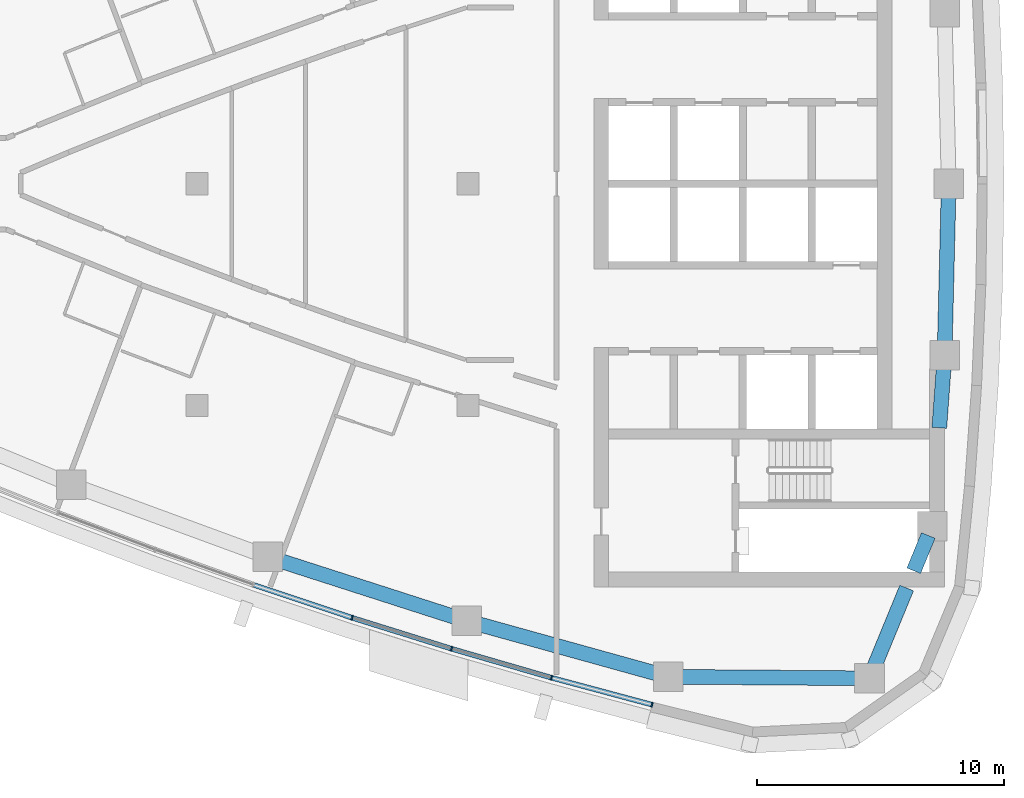
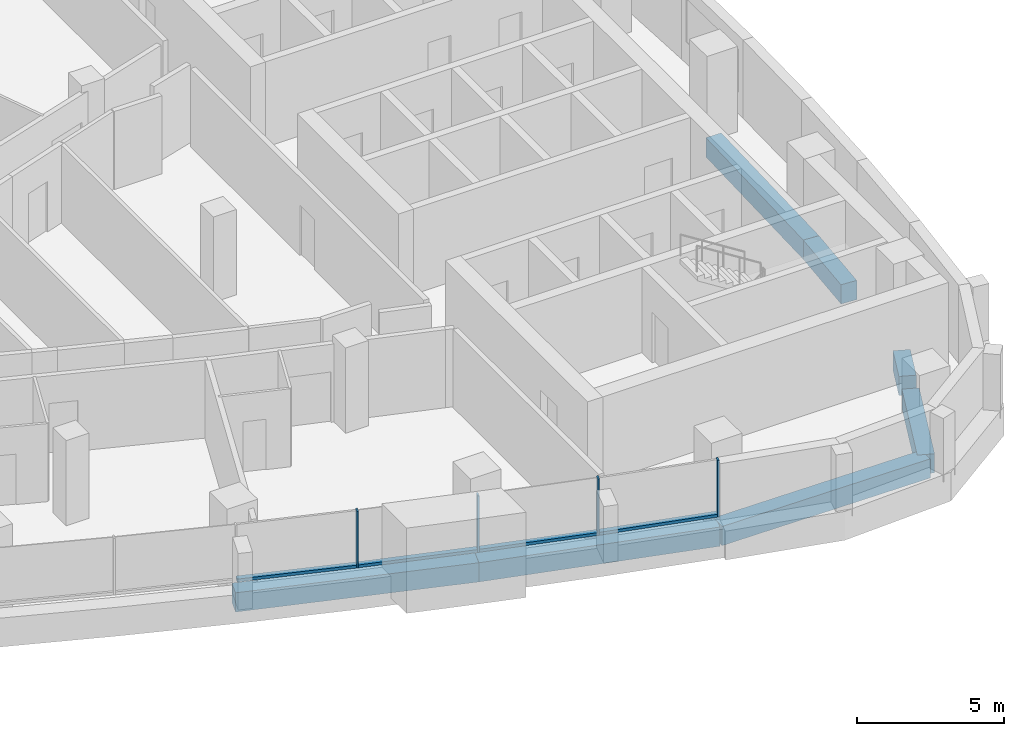
# One storey, part 4 of 15: 8 members, 7 beams, 2 elements without a shape of their own.
"""IFC4 building model written with IfcOpenShell, lengths in metres."""

from ifc_helpers import new_model, si_unit, direction, frame, origin, origin_2d, place, context, subcontext, project, spatial, rectangle, extrude, material, layer, layer_set, material_profile, profile_set, type_object, element, aggregate, save


model = new_model("IFC4")

# Units and contexts
model_context = context("Model", 3, precision=1e-05, world=origin(), true_north=direction((0.0, 1.0)))
body_context = subcontext(model_context, "Body", "Model", "MODEL_VIEW")
ifc_project = project(units=[si_unit("LENGTHUNIT", "METRE"), si_unit("AREAUNIT", "SQUARE_METRE"), si_unit("VOLUMEUNIT", "CUBIC_METRE"), si_unit("PLANEANGLEUNIT", "RADIAN"), si_unit("MASSUNIT", "GRAM", prefix="KILO")], contexts=[model_context])

# Site, building, storey
site_placement = place(None, origin())
site = spatial("IfcSite", under=ifc_project, at=site_placement, CompositionType="ELEMENT")
building_placement = place(site_placement, origin())
building = spatial("IfcBuilding", under=site, at=building_placement, Name="Ostrand Prow Hotel Tower", CompositionType="ELEMENT")
storey_placement = place(building_placement, frame((0.0, 0.0, 242.10009765625)))
storey = spatial("IfcBuildingStorey", under=building, at=storey_placement, Name="L61", CompositionType="ELEMENT", Elevation=242.10009765625)

# Beams
ifc_material_1 = material(Name="Concrete C50/60", Category="concrete")
ifc_material_profile_1 = material_profile(ifc_material_1, rectangle(XDim=0.60009765625, YDim=0.800048828125, at=origin_2d()), Name="RC 600x800")
ifc_profile_set_1 = profile_set([ifc_material_profile_1], Name="Concrete C50/60")
beam_type = type_object("IfcBeamType", Name="Edge beam 600x800 C50/60", PredefinedType="SPANDREL", material=ifc_profile_set_1)
for number, where, z_axis, x_axis, name in (
    (1, (36.8671875, -15.131591796875, -0.7001953125), (0.95193933362, -0.306286638798, 0.0), (0.306286638798, 0.95193933362, 0.0), "Edge beam S4-S5"),
    (2, (44.94677734375, -17.731201171875, -0.7001953125), (0.963625802813, -0.267255144297, 0.0), (0.267255144297, 0.963625802813, 0.0), "Edge beam S5-S6"),
):
    element("IfcBeam", number, at=place(storey_placement, frame(where, z_axis=z_axis, x_axis=x_axis)), inside=storey, type_object=beam_type, Name=name, PredefinedType="SPANDREL", context=body_context, shape_type="SweptSolid", body=[
        extrude(rectangle(XDim=0.60009765625, YDim=0.800048828125, at=origin_2d()), origin(), (0.0, 0.0, 1.0), 8.487548828125),
    ])
beam_1_placement = place(storey_placement, frame((53.12548828125, -19.99951171875, -0.7001953125), z_axis=(0.999970657582, -0.007660546678, 0.0), x_axis=(0.007660546678, 0.999970657582, 0.0)))
element("IfcBeam", 3, at=beam_1_placement, inside=storey, type_object=beam_type, Name="Edge beam S6-SE", PredefinedType="SPANDREL", context=body_context, shape_type="SweptSolid", body=[
    extrude(rectangle(XDim=0.60009765625, YDim=0.800048828125, at=origin_2d()), origin(), (0.0, 0.0, 1.0), 8.15869140625),
])
beam_2_placement = place(storey_placement, frame((61.283935546875, -20.06201171875, -0.7001953125), z_axis=(0.380777709221, 0.924666608114, 0.0), x_axis=(-0.924666608114, 0.380777709221, 0.0)))
element("IfcBeam", 4, at=beam_2_placement, inside=storey, type_object=beam_type, Name="Edge beam SE-B1", PredefinedType="SPANDREL", context=body_context, shape_type="SweptSolid", body=[
    extrude(rectangle(XDim=0.60009765625, YDim=0.800048828125, at=origin_2d()), origin(), (0.0, 0.0, 1.0), 3.96044921875),
])
beam_3_placement = place(storey_placement, frame((63.080078125, -15.699951171875, -0.7001953125), z_axis=(0.380773585759, 0.924668306145, 0.0), x_axis=(-0.924668306145, 0.380773585759, 0.0)))
element("IfcBeam", 5, at=beam_3_placement, inside=storey, type_object=beam_type, Name="Edge beam SE-B1", PredefinedType="SPANDREL", context=body_context, shape_type="SweptSolid", body=[
    extrude(rectangle(XDim=0.60009765625, YDim=0.800048828125, at=origin_2d()), origin(), (0.0, 0.0, 1.0), 1.549072265625),
])
beam_4_placement = place(storey_placement, frame((64.11669921875, -9.89990234375, -0.7001953125), z_axis=(0.072691068771, 0.997354504938, 0.0), x_axis=(-0.997354504938, 0.072691068771, 0.0)))
element("IfcBeam", 6, at=beam_4_placement, inside=storey, type_object=beam_type, Name="Edge beam B1-B2", PredefinedType="SPANDREL", context=body_context, shape_type="SweptSolid", body=[
    extrude(rectangle(XDim=0.60009765625, YDim=0.800048828125, at=origin_2d()), origin(), (0.0, 0.0, 1.0), 2.95556640625),
])
beam_5_placement = place(storey_placement, frame((64.33154296875, -6.9521484375, -0.7001953125), z_axis=(0.024223820991, 0.999706560195, 0.0), x_axis=(-0.999706560195, 0.024223820991, 0.0)))
element("IfcBeam", 7, at=beam_5_placement, inside=storey, type_object=beam_type, Name="Edge beam B2-B3", PredefinedType="SPANDREL", context=body_context, shape_type="SweptSolid", body=[
    extrude(rectangle(XDim=0.60009765625, YDim=0.800048828125, at=origin_2d()), origin(), (0.0, 0.0, 1.0), 6.9541015625),
])

# Curtain wall, members
ifc_material_2 = material(Name="Insulated glass in bronze anodised frame", Category="glass")
ifc_layer = layer(ifc_material_2, 0.199951171875)
ifc_layer_set = layer_set([ifc_layer], Name="Insulated glass in bronze anodised frame")
curtain_wall_type = type_object("IfcCurtainWallType", Name="Strip curtain wall, fritted glass over bronze spandrel", PredefinedType="NOTDEFINED", material=ifc_layer_set)
curtain_wall_1_placement = place(storey_placement, origin())
curtain_wall_1 = element("IfcCurtainWall", 8, at=curtain_wall_1_placement, inside=storey, type_object=curtain_wall_type, Name="CW1 run CWS4", PredefinedType="NOTDEFINED")
ifc_material_3 = material(Name="Bronze anodised aluminium", Category="aluminium")
ifc_material_profile_2 = material_profile(ifc_material_3, rectangle(XDim=0.199951171875, YDim=0.06005859375, at=origin_2d()), Name="Mullion 60x200 bronze anodised aluminium")
ifc_profile_set_2 = profile_set([ifc_material_profile_2], Name="Bronze anodised aluminium")
member_type_1 = type_object("IfcMemberType", Name="Mullion 60x200 bronze anodised aluminium", PredefinedType="MULLION", material=ifc_profile_set_2)
member_1_placement = place(storey_placement, frame((40.297119140625, -17.605712890625, 0.89990234375), z_axis=(0.0, 0.0, 1.0), x_axis=(0.297678138765, 0.95466629023, 0.0)))
member_1 = element("IfcMember", 9, at=member_1_placement, type_object=member_type_1, Name="CW1 mullion 2", PredefinedType="MULLION", context=body_context, shape_type="SweptSolid", body=[
    extrude(rectangle(XDim=0.199951171875, YDim=0.06005859375, at=origin_2d()), origin(), (0.0, 0.0, 1.0), 2.35009765625),
])
member_2_placement = place(storey_placement, frame((44.3291015625, -18.863037109375, 0.89990234375), z_axis=(0.0, 0.0, 1.0), x_axis=(0.297678138765, 0.95466629023, 0.0)))
member_2 = element("IfcMember", 10, at=member_2_placement, type_object=member_type_1, Name="CW1 mullion 3", PredefinedType="MULLION", context=body_context, shape_type="SweptSolid", body=[
    extrude(rectangle(XDim=0.199951171875, YDim=0.06005859375, at=origin_2d()), origin(), (0.0, 0.0, 1.0), 2.35009765625),
])

curtain_wall_2_placement = place(storey_placement, origin())
curtain_wall_2 = element("IfcCurtainWall", 11, at=curtain_wall_2_placement, inside=storey, type_object=curtain_wall_type, Name="CW1 run CWS5", PredefinedType="NOTDEFINED")
member_3_placement = place(storey_placement, frame((48.385986328125, -20.038818359375, 0.89990234375), z_axis=(0.0, 0.0, 1.0), x_axis=(0.258994370132, 0.965878831034, 0.0)))
member_3 = element("IfcMember", 12, at=member_3_placement, type_object=member_type_1, Name="CW1 mullion 2", PredefinedType="MULLION", context=body_context, shape_type="SweptSolid", body=[
    extrude(rectangle(XDim=0.199951171875, YDim=0.06005859375, at=origin_2d()), origin(), (0.0, 0.0, 1.0), 2.35009765625),
])
member_4_placement = place(storey_placement, frame((52.465576171875, -21.1328125, 0.89990234375), z_axis=(0.0, 0.0, 1.0), x_axis=(0.258994370132, 0.965878831034, 0.0)))
member_4 = element("IfcMember", 13, at=member_4_placement, type_object=member_type_1, Name="CW1 mullion 3", PredefinedType="MULLION", context=body_context, shape_type="SweptSolid", body=[
    extrude(rectangle(XDim=0.199951171875, YDim=0.06005859375, at=origin_2d()), origin(), (0.0, 0.0, 1.0), 2.35009765625),
])

# Member
ifc_material_4 = material(Name="Bronze anodised aluminium", Category="aluminium")
ifc_material_profile_3 = material_profile(ifc_material_4, rectangle(XDim=0.199951171875, YDim=0.1201171875, at=origin_2d()), Name="Transom 120x200 bronze anodised aluminium")
ifc_profile_set_3 = profile_set([ifc_material_profile_3], Name="Bronze anodised aluminium")
member_type_2 = type_object("IfcMemberType", Name="Transom 120x200 bronze anodised aluminium", PredefinedType="USERDEFINED", material=ifc_profile_set_3)
member_5_placement = place(storey_placement, frame((36.3193359375, -16.277099609375, 0.9599609375), z_axis=(0.948489622939, -0.316808199353, 0.0), x_axis=(0.316808199353, 0.948489622939, 0.0)))
member_5 = element("IfcMember", 14, at=member_5_placement, type_object=member_type_2, Name="CW1 transom 1.1", ObjectType="TRANSOM", PredefinedType="USERDEFINED", context=body_context, shape_type="SweptSolid", body=[
    extrude(rectangle(XDim=0.199951171875, YDim=0.1201171875, at=origin_2d()), origin(), (0.0, 0.0, 1.0), 4.16357421875),
])

member_6_placement = place(storey_placement, frame((40.32568359375, -17.61474609375, 0.9599609375), z_axis=(0.954676966691, -0.297643896746, 0.0), x_axis=(0.297643896746, 0.954676966691, 0.0)))
member_6 = element("IfcMember", 15, at=member_6_placement, type_object=member_type_2, Name="CW1 transom 2.1", ObjectType="TRANSOM", PredefinedType="USERDEFINED", context=body_context, shape_type="SweptSolid", body=[
    extrude(rectangle(XDim=0.199951171875, YDim=0.1201171875, at=origin_2d()), origin(), (0.0, 0.0, 1.0), 4.16357421875),
])

aggregate(curtain_wall_1, [member_1, member_2, member_5, member_6])

member_7_placement = place(storey_placement, frame((44.35791015625, -18.871337890625, 0.9599609375), z_axis=(0.960468183791, -0.278389776976, 0.0), x_axis=(0.278389776976, 0.960468183791, 0.0)))
member_7 = element("IfcMember", 16, at=member_7_placement, type_object=member_type_2, Name="CW1 transom 1.1", ObjectType="TRANSOM", PredefinedType="USERDEFINED", context=body_context, shape_type="SweptSolid", body=[
    extrude(rectangle(XDim=0.199951171875, YDim=0.1201171875, at=origin_2d()), origin(), (0.0, 0.0, 1.0), 4.163818359375),
])

member_8_placement = place(storey_placement, frame((48.4150390625, -20.046630859375, 0.9599609375), z_axis=(0.96587683346, -0.259001819657, 0.0), x_axis=(0.259001819657, 0.96587683346, 0.0)))
member_8 = element("IfcMember", 17, at=member_8_placement, type_object=member_type_2, Name="CW1 transom 2.1", ObjectType="TRANSOM", PredefinedType="USERDEFINED", context=body_context, shape_type="SweptSolid", body=[
    extrude(rectangle(XDim=0.199951171875, YDim=0.1201171875, at=origin_2d()), origin(), (0.0, 0.0, 1.0), 4.16357421875),
])

aggregate(curtain_wall_2, [member_3, member_4, member_7, member_8])

save(model, "model.ifc")
